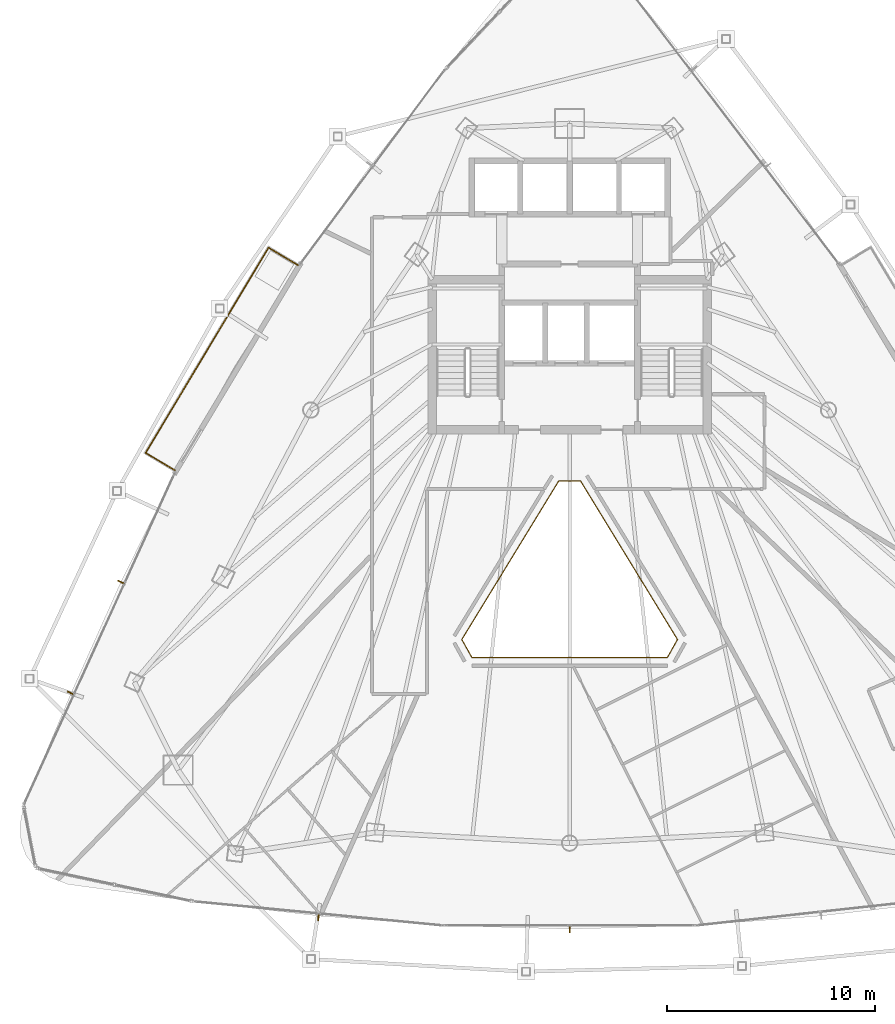
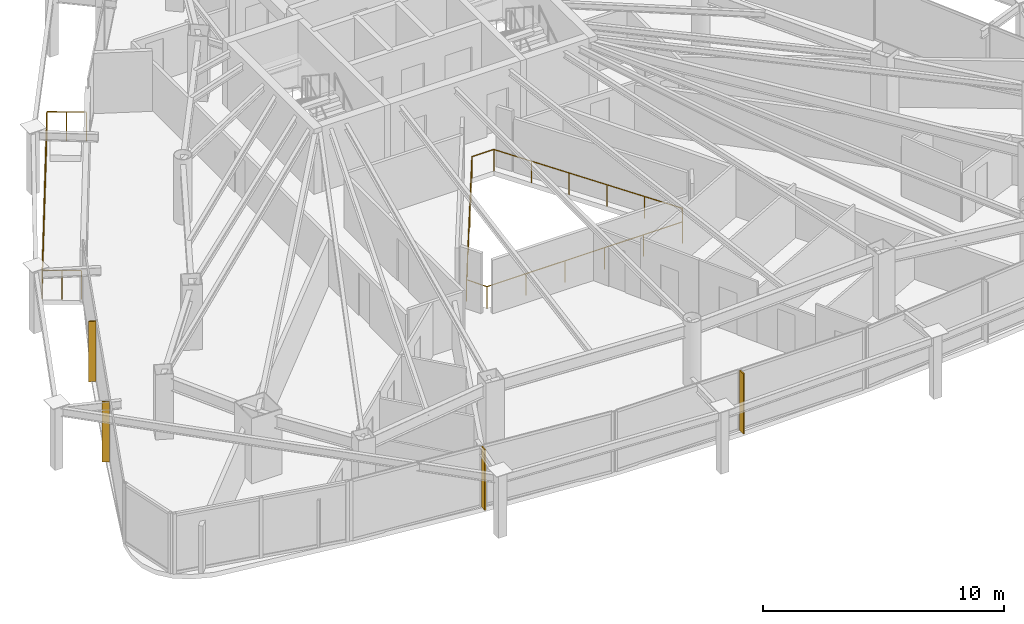
# One storey, part 29 of 31: 4 shading devices, 2 railings.
"""IFC4 building model written with IfcOpenShell, lengths in metres."""

import ifcopenshell
import ifcopenshell.guid

model = None  # the IFC model being written
_history = None  # IfcOwnerHistory: only IFC2X3 demands one
_inside = {}  # id of a spatial element -> (the spatial element, [elements in it])
_under = {}  # id of a project, library or spatial element -> (it, [spatial elements below it])
_declared = {}  # id of a project -> (the project, [libraries it declares])
_typed = {}  # id of a type object -> (the type object, [elements of that type])
_made_of = {}  # id of a material, layer set ... -> (it, [elements and type objects made of it])


def new_model(schema):
    """Start an empty IFC model of exactly this schema.

    Asked for "IFC4X3", IfcOpenShell would pick the latest addendum, in which some entities
    have other attributes; the version numbers below select the first issue.
    IFC2X3 requires an IfcOwnerHistory on every rooted entity: one is made here for all.
    """
    global model, _history
    if schema == "IFC4X3":
        model = ifcopenshell.file(schema_version=(4, 3, 0, 0))
    else:
        model = ifcopenshell.file(schema=schema)
    _inside.clear()
    _under.clear()
    _declared.clear()
    _typed.clear()
    _made_of.clear()
    _history = None
    if model.schema == "IFC2X3":
        org = make("IfcOrganization", Name="unknown")
        user = make(
            "IfcPersonAndOrganization",
            ThePerson=make("IfcPerson", FamilyName="unknown"),
            TheOrganization=org,
        )
        app = make(
            "IfcApplication",
            ApplicationDeveloper=org,
            Version="unknown",
            ApplicationFullName="unknown",
            ApplicationIdentifier="unknown",
        )
        _history = make(
            "IfcOwnerHistory",
            OwningUser=user,
            OwningApplication=app,
            ChangeAction="ADDED",
            CreationDate=0,
        )
    return model


def make(cls, **values):
    """One entity of the class cls with the attributes given. An attribute that is None is left unset."""
    return model.create_entity(
        cls, **{name: value for name, value in values.items() if value is not None}
    )


def rooted(cls, **values):
    """An entity with a GlobalId (a new one), such as an element, a storey or a relation."""
    return make(cls, GlobalId=ifcopenshell.guid.new(), OwnerHistory=_history, **values)


def si_unit(unit_type, name, prefix=None):
    """IfcSIUnit, for example si_unit("LENGTHUNIT", "METRE", prefix="MILLI")."""
    return make("IfcSIUnit", UnitType=unit_type, Prefix=prefix, Name=name)


def assignment(units):
    """IfcUnitAssignment: the units of a project."""
    return None if units is None else make("IfcUnitAssignment", Units=units)


def point(xyz):
    """IfcCartesianPoint."""
    return None if xyz is None else make("IfcCartesianPoint", Coordinates=xyz)


def direction(xyz):
    """IfcDirection."""
    return None if xyz is None else make("IfcDirection", DirectionRatios=xyz)


def frame(location, z_axis=None, x_axis=None):
    """IfcAxis2Placement3D, a coordinate frame: its origin and axes. An axis left out is left unset."""
    return make(
        "IfcAxis2Placement3D",
        Location=point(location),
        Axis=direction(z_axis),
        RefDirection=direction(x_axis),
    )


def frame_2d(location, x_axis=None):
    """IfcAxis2Placement2D, a coordinate frame in the plane: its origin and x axis."""
    return make(
        "IfcAxis2Placement2D", Location=point(location), RefDirection=direction(x_axis)
    )


def origin():
    """The frame at (0, 0, 0) with its axes left unset."""
    return frame((0.0, 0.0, 0.0))


def origin_2d():
    """The frame at (0, 0) in the plane with its x axis left unset."""
    return frame_2d((0.0, 0.0))


def place(relative_to, where):
    """IfcLocalPlacement: puts the frame where relative to a parent placement (None: the world)."""
    return make(
        "IfcLocalPlacement", PlacementRelTo=relative_to, RelativePlacement=where
    )


def context(
    kind, dimensions, precision=None, world=None, true_north=None, identifier=None
):
    """IfcGeometricRepresentationContext, for example the 3D "Model" context."""
    return make(
        "IfcGeometricRepresentationContext",
        ContextIdentifier=identifier,
        ContextType=kind,
        CoordinateSpaceDimension=dimensions,
        Precision=precision,
        WorldCoordinateSystem=world,
        TrueNorth=true_north,
    )


def subcontext(parent, identifier, kind, view, scale=None):
    """IfcGeometricRepresentationSubContext, for example "Body" below "Model"."""
    return make(
        "IfcGeometricRepresentationSubContext",
        ContextIdentifier=identifier,
        ContextType=kind,
        ParentContext=parent,
        TargetScale=scale,
        TargetView=view,
    )


def project(units=None, contexts=None):
    """IfcProject with its units and contexts."""
    return rooted(
        "IfcProject",
        Name="project",
        RepresentationContexts=contexts,
        UnitsInContext=assignment(units),
    )


def spatial(cls, under=None, at=None, **own):
    """A site, building, storey or space (cls), placed at a placement, below another one or the project."""
    s = rooted(cls, ObjectPlacement=at, **own)
    if under is not None:
        _under.setdefault(under.id(), (under, []))[1].append(s)
    return s


def profile(cls, at=None, kind="AREA", **sizes):
    """A parametric profile (cls). Its sizes go by their IFC names, for example OverallWidth=200.0."""
    return make(cls, ProfileType=kind, Position=at, **sizes)


def rectangle(**sizes):
    """IfcRectangleProfileDef."""
    return profile("IfcRectangleProfileDef", **sizes)


def circle(**sizes):
    """IfcCircleProfileDef."""
    return profile("IfcCircleProfileDef", **sizes)


def extrude(swept, where, along, depth):
    """IfcExtrudedAreaSolid: the profile swept, set in the frame where, extruded along a direction by depth."""
    return make(
        "IfcExtrudedAreaSolid",
        SweptArea=swept,
        Position=where,
        ExtrudedDirection=direction(along),
        Depth=depth,
    )


def shape(context_of_items, identifier, shape_type, items):
    """IfcShapeRepresentation: the items that make up one representation, for example the "Body"."""
    return make(
        "IfcShapeRepresentation",
        ContextOfItems=context_of_items,
        RepresentationIdentifier=identifier,
        RepresentationType=shape_type,
        Items=items,
    )


def material(Name=None, Category=None):
    """IfcMaterial."""
    return make("IfcMaterial", Name=Name, Category=Category)


def layer(
    of_material, thickness, ventilated=None, Name=None, Category=None, Priority=None
):
    """IfcMaterialLayer: one layer of a wall or slab, of a material (None: an air gap)."""
    return make(
        "IfcMaterialLayer",
        Material=of_material,
        LayerThickness=thickness,
        IsVentilated=ventilated,
        Name=Name,
        Category=Category,
        Priority=Priority,
    )


def layer_set(layers, Name=None):
    """IfcMaterialLayerSet."""
    return make("IfcMaterialLayerSet", MaterialLayers=layers, LayerSetName=Name)


def made_of(thing, what):
    """Note that an element or type object is made of a material, layer set ...; save() writes the relation."""
    if what is not None:
        _made_of.setdefault(what.id(), (what, []))[1].append(thing)
    return thing


def type_object(cls, material=None, **own):
    """A type object (cls), such as IfcWallType, which elements share."""
    return made_of(rooted(cls, **own), material)


def element(
    cls,
    number,
    at=None,
    inside=None,
    cuts=None,
    type_object=None,
    material=None,
    context=None,
    identifier="Body",
    shape_type=None,
    held_by="IfcProductDefinitionShape",
    body=None,
    shapes=None,
    **own,
):
    """One element of the class cls, such as IfcWall. Its Tag is "e" and its number.

    at: its placement. inside: the storey or other place that contains it. cuts: it is an
    opening in that element (IfcRelVoidsElement). A single representation is given by context,
    identifier, shape_type and body (its items); several are given by shapes. held_by: the class
    of the entity that holds the representations. save() writes the other relations.
    """
    e = rooted(cls, Tag="e%d" % number, ObjectPlacement=at, **own)
    if body is not None:
        shapes = [shape(context, identifier, shape_type, body)]
    if shapes is not None:
        e.Representation = make(held_by, Representations=shapes)
    if inside is not None:
        _inside.setdefault(inside.id(), (inside, []))[1].append(e)
    if cuts is not None:
        rooted(
            "IfcRelVoidsElement", RelatingBuildingElement=cuts, RelatedOpeningElement=e
        )
    if type_object is not None:
        _typed.setdefault(type_object.id(), (type_object, []))[1].append(e)
    return made_of(e, material)


def aggregate(whole, parts):
    """IfcRelAggregates: a whole, such as a stair, and the parts it consists of."""
    return rooted("IfcRelAggregates", RelatingObject=whole, RelatedObjects=parts)


def save(model, path):
    """Write the relations noted so far, then the file.

    IfcRelAggregates (storeys below a building ...), IfcRelContainedInSpatialStructure (elements
    in a storey), IfcRelDefinesByType, IfcRelAssociatesMaterial and IfcRelDeclares: one each for
    every whole, place, type object, material and project.
    """
    for whole, parts in _under.values():
        aggregate(whole, parts)
    for where, things in _inside.values():
        rooted(
            "IfcRelContainedInSpatialStructure",
            RelatedElements=things,
            RelatingStructure=where,
        )
    for kind, things in _typed.values():
        rooted("IfcRelDefinesByType", RelatedObjects=things, RelatingType=kind)
    for what, things in _made_of.values():
        rooted("IfcRelAssociatesMaterial", RelatedObjects=things, RelatingMaterial=what)
    for by, libraries in _declared.values():
        rooted("IfcRelDeclares", RelatingContext=by, RelatedDefinitions=libraries)
    model.write(path)


model = new_model("IFC4")

# Units and contexts
model_context = context("Model", 3, precision=1e-05, world=origin(), true_north=direction((0.0, 1.0)))
body_context = subcontext(model_context, "Body", "Model", "MODEL_VIEW")
ifc_project = project(units=[si_unit("LENGTHUNIT", "METRE"), si_unit("AREAUNIT", "SQUARE_METRE"), si_unit("VOLUMEUNIT", "CUBIC_METRE"), si_unit("PLANEANGLEUNIT", "RADIAN"), si_unit("MASSUNIT", "GRAM", prefix="KILO")], contexts=[model_context])

# Site, building, storey
site_placement = place(None, origin())
site = spatial("IfcSite", under=ifc_project, at=site_placement, CompositionType="ELEMENT")
building_placement = place(site_placement, origin())
building = spatial("IfcBuilding", under=site, at=building_placement, Name="Orvanel Arch Residences", CompositionType="ELEMENT")
storey_placement = place(building_placement, frame((0.0, 0.0, 113.300048828125)))
storey = spatial("IfcBuildingStorey", under=building, at=storey_placement, Name="L31", CompositionType="ELEMENT", Elevation=113.300048828125)

# Shading devices
ifc_material = material(Name="Bronze-anodised aluminium AA6063-T6", Category="aluminium")
ifc_layer = layer(ifc_material, 0.054931640625)
ifc_layer_set = layer_set([ifc_layer], Name="Bronze-anodised aluminium AA6063-T6")
shading_device_type = type_object("IfcShadingDeviceType", Name="FIN-BRZ-320", PredefinedType="USERDEFINED", material=ifc_layer_set)
for number, where, z_axis, x_axis, name in (
    (1, (11.450927734375, 19.382080078125, 0.0), (0.0, 0.0, 1.0), (-0.909961270877, 0.414693242656, 0.0), "L31 Anodised Bronze Mullion FIN 01"),
    (2, (9.028076171875, 14.05908203125, 0.0), (0.0, 0.0, 1.0), (-0.909961270877, 0.414693242656, 0.0), "L31 Anodised Bronze Mullion FIN 02"),
    (3, (20.93603515625, 3.27392578125, 0.0), (0.0, 0.0, 1.0), (-0.09584575252, -0.995396198367, 0.0), "L31 Anodised Bronze Mullion FIN 01"),
    (4, (33.0, 2.69189453125, 0.0), (0.0, 0.0, 1.0), (0.0, -1.0, 0.0), "L31 Anodised Bronze Mullion FIN 01"),
):
    element("IfcShadingDevice", number, at=place(storey_placement, frame(where, z_axis=z_axis, x_axis=x_axis)), inside=storey, type_object=shading_device_type, Name=name, ObjectType="FIN", PredefinedType="USERDEFINED", context=body_context, shape_type="SweptSolid", body=[
        extrude(rectangle(XDim=0.320068359375, YDim=0.054931640625, at=origin_2d()), origin(), (0.0, 0.0, 1.0), 3.06005859375),
    ])

# Railings
railing_type_1 = type_object("IfcRailingType", Name="RL-ATR-1120", PredefinedType="BALUSTRADE", material=ifc_material)
railing_1_placement = place(storey_placement, frame((33.52392578125, 24.22998046875, 0.0)))
element("IfcRailing", 5, at=railing_1_placement, inside=storey, type_object=railing_type_1, Name="L31 Atrium Void Protective Balustrade", PredefinedType="BALUSTRADE", context=body_context, shape_type="SweptSolid", body=[
    extrude(circle(Radius=0.02392578125, at=origin_2d()), frame((-0.00146484375, 0.0, 1.09619140625), z_axis=(-1.0, 0.0, 0.0), x_axis=(0.0, -1.0, 0.0)), (0.0, 0.0, 1.0), 1.044921875),
    extrude(circle(Radius=0.02392578125, at=origin_2d()), frame((-1.048583984375, -0.001220703125, 1.09619140625), z_axis=(-0.521600617543, -0.853189777118, 0.0), x_axis=(0.853189777118, -0.521600617543, 0.0)), (0.0, 0.0, 1.0), 8.9140625),
    extrude(circle(Radius=0.02392578125, at=origin_2d()), frame((-5.6982421875, -7.609130859375, 1.09619140625), z_axis=(0.488905623949, -0.872336684355, 0.0), x_axis=(0.872336684355, 0.488905623949, 0.0)), (0.0, 0.0, 1.0), 0.980712890625),
    extrude(circle(Radius=0.02392578125, at=origin_2d()), frame((-5.216552734375, -8.466064453125, 1.09619140625), z_axis=(1.0, 0.0, 0.0), x_axis=(0.0, 1.0, 0.0)), (0.0, 0.0, 1.0), 9.38525390625),
    extrude(circle(Radius=0.02392578125, at=origin_2d()), frame((4.1708984375, -8.46484375, 1.09619140625), z_axis=(0.488905623949, 0.872336684355, 0.0), x_axis=(-0.872336684355, 0.488905623949, 0.0)), (0.0, 0.0, 1.0), 0.980712890625),
    extrude(circle(Radius=0.02392578125, at=origin_2d()), frame((4.650390625, -7.606689453125, 1.09619140625), z_axis=(-0.521600617543, 0.853189777118, 0.0), x_axis=(-0.853189777118, -0.521600617543, 0.0)), (0.0, 0.0, 1.0), 8.9140625),
    extrude(circle(Radius=0.02099609375, at=origin_2d()), origin(), (0.0, 0.0, 1.0), 1.070068359375),
    extrude(circle(Radius=0.02099609375, at=origin_2d()), frame((-1.0478515625, 0.0, 0.0)), (0.0, 0.0, 1.0), 1.070068359375),
    extrude(circle(Radius=0.02099609375, at=origin_2d()), frame((-1.97802734375, -1.521484375, 0.0)), (0.0, 0.0, 1.0), 1.070068359375),
    extrude(circle(Radius=0.02099609375, at=origin_2d()), frame((-2.908203125, -3.043212890625, 0.0)), (0.0, 0.0, 1.0), 1.070068359375),
    extrude(circle(Radius=0.02099609375, at=origin_2d()), frame((-3.838623046875, -4.564697265625, 0.0)), (0.0, 0.0, 1.0), 1.070068359375),
    extrude(circle(Radius=0.02099609375, at=origin_2d()), frame((-4.768798828125, -6.08642578125, 0.0)), (0.0, 0.0, 1.0), 1.070068359375),
    extrude(circle(Radius=0.02099609375, at=origin_2d()), frame((-5.698974609375, -7.60791015625, 0.0)), (0.0, 0.0, 1.0), 1.070068359375),
    extrude(circle(Radius=0.02099609375, at=origin_2d()), frame((-5.218017578125, -8.466064453125, 0.0)), (0.0, 0.0, 1.0), 1.070068359375),
    extrude(circle(Radius=0.02099609375, at=origin_2d()), frame((-3.34033203125, -8.466064453125, 0.0)), (0.0, 0.0, 1.0), 1.070068359375),
    extrude(circle(Radius=0.02099609375, at=origin_2d()), frame((-1.462646484375, -8.466064453125, 0.0)), (0.0, 0.0, 1.0), 1.070068359375),
    extrude(circle(Radius=0.02099609375, at=origin_2d()), frame((0.414794921875, -8.466064453125, 0.0)), (0.0, 0.0, 1.0), 1.070068359375),
    extrude(circle(Radius=0.02099609375, at=origin_2d()), frame((2.29248046875, -8.466064453125, 0.0)), (0.0, 0.0, 1.0), 1.070068359375),
    extrude(circle(Radius=0.02099609375, at=origin_2d()), frame((4.170166015625, -8.466064453125, 0.0)), (0.0, 0.0, 1.0), 1.070068359375),
    extrude(circle(Radius=0.02099609375, at=origin_2d()), frame((4.651123046875, -7.60791015625, 0.0)), (0.0, 0.0, 1.0), 1.070068359375),
    extrude(circle(Radius=0.02099609375, at=origin_2d()), frame((3.720947265625, -6.08642578125, 0.0)), (0.0, 0.0, 1.0), 1.070068359375),
    extrude(circle(Radius=0.02099609375, at=origin_2d()), frame((2.790771484375, -4.564697265625, 0.0)), (0.0, 0.0, 1.0), 1.070068359375),
    extrude(circle(Radius=0.02099609375, at=origin_2d()), frame((1.8603515625, -3.043212890625, 0.0)), (0.0, 0.0, 1.0), 1.070068359375),
    extrude(circle(Radius=0.02099609375, at=origin_2d()), frame((0.93017578125, -1.521484375, 0.0)), (0.0, 0.0, 1.0), 1.070068359375),
])
railing_type_2 = type_object("IfcRailingType", Name="RL-BAL-1480", PredefinedType="BALUSTRADE", material=ifc_material)
railing_2_placement = place(storey_placement, frame((19.951904296875, 34.595947265625, 0.0)))
element("IfcRailing", 6, at=railing_2_placement, inside=storey, type_object=railing_type_2, Name="L31 Balcony Perimeter Guardrail Face 1", PredefinedType="BALUSTRADE", context=body_context, shape_type="SweptSolid", body=[
    extrude(circle(Radius=0.02392578125, at=origin_2d()), frame((-0.001220703125, 0.000732421875, 1.4560546875), z_axis=(-0.857387817543, 0.514670895164, 0.0), x_axis=(-0.514670895164, -0.857387817543, 0.0)), (0.0, 0.0, 1.0), 1.636962890625),
    extrude(circle(Radius=0.02392578125, at=origin_2d()), frame((-1.40673828125, 0.8427734375, 1.4560546875), z_axis=(-0.514411375866, -0.857543547804, 0.0), x_axis=(0.857543547804, -0.514411375866, 0.0)), (0.0, 0.0, 1.0), 11.485595703125),
    extrude(circle(Radius=0.02392578125, at=origin_2d()), frame((-7.314697265625, -9.0087890625, 1.4560546875), z_axis=(0.857545439568, -0.514408222208, 0.0), x_axis=(0.514408222208, 0.857545439568, 0.0)), (0.0, 0.0, 1.0), 1.6376953125),
    extrude(circle(Radius=0.02099609375, at=origin_2d()), origin(), (0.0, 0.0, 1.0), 1.429931640625),
    extrude(circle(Radius=0.02099609375, at=origin_2d()), frame((-0.703125, 0.421875, 0.0)), (0.0, 0.0, 1.0), 1.429931640625),
    extrude(circle(Radius=0.02099609375, at=origin_2d()), frame((-1.406005859375, 0.843994140625, 0.0)), (0.0, 0.0, 1.0), 1.429931640625),
    extrude(circle(Radius=0.02099609375, at=origin_2d()), frame((-1.9970703125, -0.14111328125, 0.0)), (0.0, 0.0, 1.0), 1.429931640625),
    extrude(circle(Radius=0.02099609375, at=origin_2d()), frame((-2.587890625, -1.12646484375, 0.0)), (0.0, 0.0, 1.0), 1.429931640625),
    extrude(circle(Radius=0.02099609375, at=origin_2d()), frame((-3.178955078125, -2.111572265625, 0.0)), (0.0, 0.0, 1.0), 1.429931640625),
    extrude(circle(Radius=0.02099609375, at=origin_2d()), frame((-3.77001953125, -3.096923828125, 0.0)), (0.0, 0.0, 1.0), 1.429931640625),
    extrude(circle(Radius=0.02099609375, at=origin_2d()), frame((-4.36083984375, -4.08203125, 0.0)), (0.0, 0.0, 1.0), 1.429931640625),
    extrude(circle(Radius=0.02099609375, at=origin_2d()), frame((-4.951904296875, -5.067138671875, 0.0)), (0.0, 0.0, 1.0), 1.429931640625),
    extrude(circle(Radius=0.02099609375, at=origin_2d()), frame((-5.54296875, -6.052490234375, 0.0)), (0.0, 0.0, 1.0), 1.429931640625),
    extrude(circle(Radius=0.02099609375, at=origin_2d()), frame((-6.134033203125, -7.03759765625, 0.0)), (0.0, 0.0, 1.0), 1.429931640625),
    extrude(circle(Radius=0.02099609375, at=origin_2d()), frame((-6.724853515625, -8.02294921875, 0.0)), (0.0, 0.0, 1.0), 1.429931640625),
    extrude(circle(Radius=0.02099609375, at=origin_2d()), frame((-7.31591796875, -9.008056640625, 0.0)), (0.0, 0.0, 1.0), 1.429931640625),
    extrude(circle(Radius=0.02099609375, at=origin_2d()), frame((-6.6123046875, -9.43017578125, 0.0)), (0.0, 0.0, 1.0), 1.429931640625),
    extrude(circle(Radius=0.02099609375, at=origin_2d()), frame((-5.908935546875, -9.85205078125, 0.0)), (0.0, 0.0, 1.0), 1.429931640625),
])

save(model, "model.ifc")
